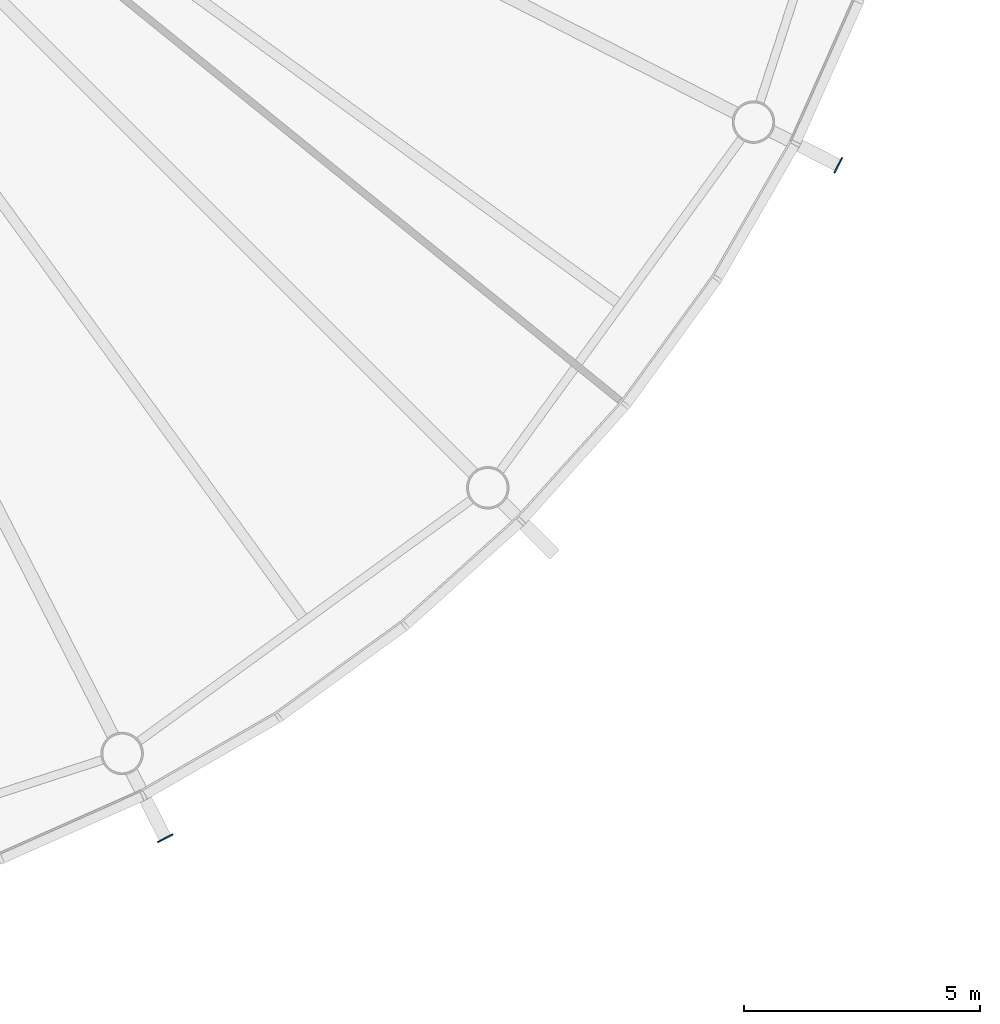
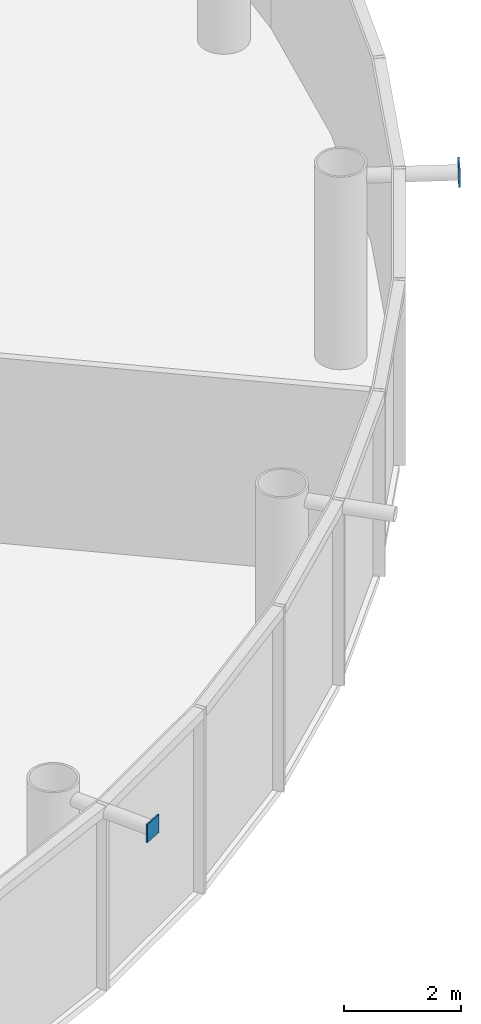
# One storey, part 9 of 19: 2 discrete accessories.
"""IFC4 building model written with IfcOpenShell, lengths in metres."""

from ifc_helpers import new_model, si_unit, direction, frame, origin, origin_2d, place, context, subcontext, project, spatial, rectangle, extrude, material, element, save


model = new_model("IFC4")

# Units and contexts
model_context = context("Model", 3, precision=1e-05, world=origin(), true_north=direction((0.0, 1.0)))
body_context = subcontext(model_context, "Body", "Model", "MODEL_VIEW")
ifc_project = project(units=[si_unit("LENGTHUNIT", "METRE"), si_unit("AREAUNIT", "SQUARE_METRE"), si_unit("VOLUMEUNIT", "CUBIC_METRE"), si_unit("PLANEANGLEUNIT", "RADIAN"), si_unit("MASSUNIT", "GRAM", prefix="KILO")], contexts=[model_context])

# Site, building, storey
site_placement = place(None, origin())
site = spatial("IfcSite", under=ifc_project, at=site_placement, CompositionType="ELEMENT")
building_placement = place(site_placement, origin())
building = spatial("IfcBuilding", under=site, at=building_placement, Name="Entoto Ring Tower", CompositionType="ELEMENT")
storey_placement = place(building_placement, frame((0.0, 0.0, 368.0)))
storey = spatial("IfcBuildingStorey", under=building, at=storey_placement, Name="L85", CompositionType="ELEMENT", Elevation=368.0)

# Discrete accessories
ifc_material = material(Name="Steel S355", Category="steel")
for number, where, z_axis, x_axis, name in (
    (1, (104.806884765625, 50.93994140625, 3.52685546875), (0.0, 0.0, 1.0), (0.45399049974, -0.891006524188, 0.0), "Node strut end plate DS2 ring 27 16"),
    (2, (119.06005859375, 65.193115234375, 3.52685546875), (0.0, 0.0, 1.0), (0.891006524188, -0.45399049974, 0.0), "Node strut end plate DS2 ring 27 18"),
):
    element("IfcDiscreteAccessory", number, at=place(storey_placement, frame(where, z_axis=z_axis, x_axis=x_axis)), inside=storey, material=ifc_material, Name=name, PredefinedType="BRACKET", context=body_context, shape_type="SweptSolid", body=[
        extrude(rectangle(XDim=0.030029296875, YDim=0.373046875, at=origin_2d()), origin(), (0.0, 0.0, 1.0), 0.373046875),
    ])

save(model, "model.ifc")
